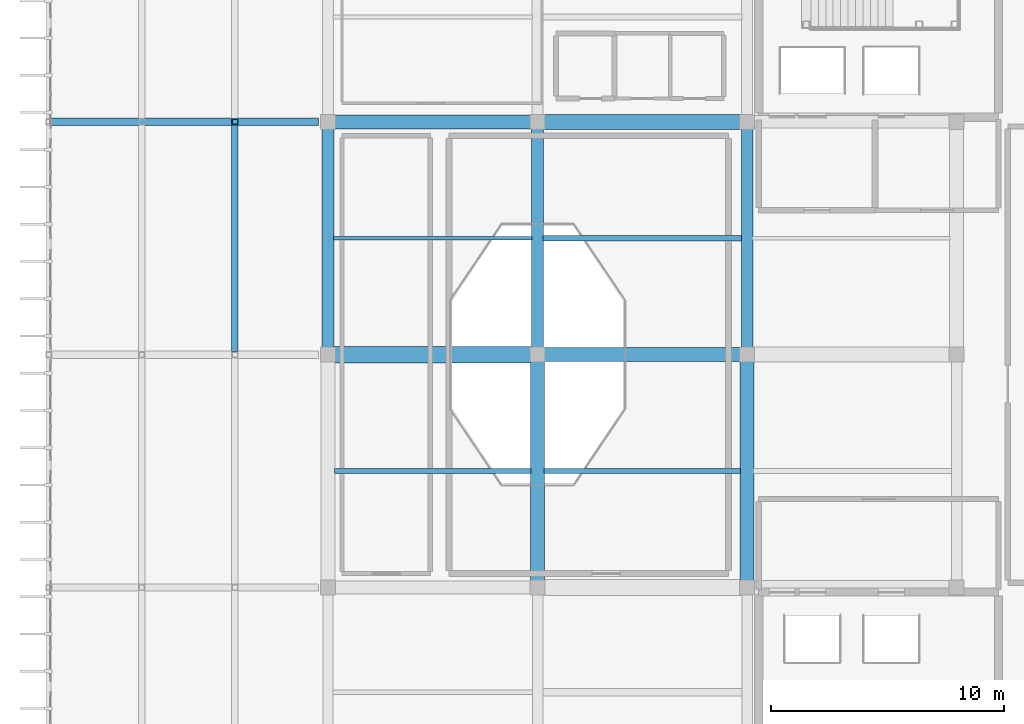
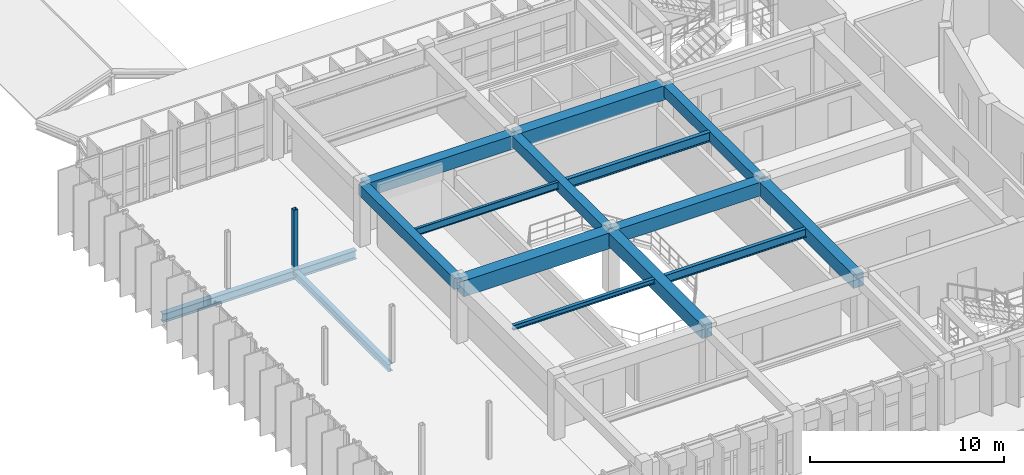
# One storey, part 28 of 80: 15 beams, 1 member.
"""IFC4 building model written with IfcOpenShell, lengths in metres."""

import ifcopenshell
import ifcopenshell.guid

model = None  # the IFC model being written
_history = None  # IfcOwnerHistory: only IFC2X3 demands one
_inside = {}  # id of a spatial element -> (the spatial element, [elements in it])
_under = {}  # id of a project, library or spatial element -> (it, [spatial elements below it])
_declared = {}  # id of a project -> (the project, [libraries it declares])
_typed = {}  # id of a type object -> (the type object, [elements of that type])
_made_of = {}  # id of a material, layer set ... -> (it, [elements and type objects made of it])


def new_model(schema):
    """Start an empty IFC model of exactly this schema.

    Asked for "IFC4X3", IfcOpenShell would pick the latest addendum, in which some entities
    have other attributes; the version numbers below select the first issue.
    IFC2X3 requires an IfcOwnerHistory on every rooted entity: one is made here for all.
    """
    global model, _history
    if schema == "IFC4X3":
        model = ifcopenshell.file(schema_version=(4, 3, 0, 0))
    else:
        model = ifcopenshell.file(schema=schema)
    _inside.clear()
    _under.clear()
    _declared.clear()
    _typed.clear()
    _made_of.clear()
    _history = None
    if model.schema == "IFC2X3":
        org = make("IfcOrganization", Name="unknown")
        user = make(
            "IfcPersonAndOrganization",
            ThePerson=make("IfcPerson", FamilyName="unknown"),
            TheOrganization=org,
        )
        app = make(
            "IfcApplication",
            ApplicationDeveloper=org,
            Version="unknown",
            ApplicationFullName="unknown",
            ApplicationIdentifier="unknown",
        )
        _history = make(
            "IfcOwnerHistory",
            OwningUser=user,
            OwningApplication=app,
            ChangeAction="ADDED",
            CreationDate=0,
        )
    return model


def make(cls, **values):
    """One entity of the class cls with the attributes given. An attribute that is None is left unset."""
    return model.create_entity(
        cls, **{name: value for name, value in values.items() if value is not None}
    )


def rooted(cls, **values):
    """An entity with a GlobalId (a new one), such as an element, a storey or a relation."""
    return make(cls, GlobalId=ifcopenshell.guid.new(), OwnerHistory=_history, **values)


def si_unit(unit_type, name, prefix=None):
    """IfcSIUnit, for example si_unit("LENGTHUNIT", "METRE", prefix="MILLI")."""
    return make("IfcSIUnit", UnitType=unit_type, Prefix=prefix, Name=name)


def assignment(units):
    """IfcUnitAssignment: the units of a project."""
    return None if units is None else make("IfcUnitAssignment", Units=units)


def point(xyz):
    """IfcCartesianPoint."""
    return None if xyz is None else make("IfcCartesianPoint", Coordinates=xyz)


def direction(xyz):
    """IfcDirection."""
    return None if xyz is None else make("IfcDirection", DirectionRatios=xyz)


def frame(location, z_axis=None, x_axis=None):
    """IfcAxis2Placement3D, a coordinate frame: its origin and axes. An axis left out is left unset."""
    return make(
        "IfcAxis2Placement3D",
        Location=point(location),
        Axis=direction(z_axis),
        RefDirection=direction(x_axis),
    )


def frame_2d(location, x_axis=None):
    """IfcAxis2Placement2D, a coordinate frame in the plane: its origin and x axis."""
    return make(
        "IfcAxis2Placement2D", Location=point(location), RefDirection=direction(x_axis)
    )


def origin():
    """The frame at (0, 0, 0) with its axes left unset."""
    return frame((0.0, 0.0, 0.0))


def origin_2d():
    """The frame at (0, 0) in the plane with its x axis left unset."""
    return frame_2d((0.0, 0.0))


def place(relative_to, where):
    """IfcLocalPlacement: puts the frame where relative to a parent placement (None: the world)."""
    return make(
        "IfcLocalPlacement", PlacementRelTo=relative_to, RelativePlacement=where
    )


def context(
    kind, dimensions, precision=None, world=None, true_north=None, identifier=None
):
    """IfcGeometricRepresentationContext, for example the 3D "Model" context."""
    return make(
        "IfcGeometricRepresentationContext",
        ContextIdentifier=identifier,
        ContextType=kind,
        CoordinateSpaceDimension=dimensions,
        Precision=precision,
        WorldCoordinateSystem=world,
        TrueNorth=true_north,
    )


def subcontext(parent, identifier, kind, view, scale=None):
    """IfcGeometricRepresentationSubContext, for example "Body" below "Model"."""
    return make(
        "IfcGeometricRepresentationSubContext",
        ContextIdentifier=identifier,
        ContextType=kind,
        ParentContext=parent,
        TargetScale=scale,
        TargetView=view,
    )


def project(units=None, contexts=None):
    """IfcProject with its units and contexts."""
    return rooted(
        "IfcProject",
        Name="project",
        RepresentationContexts=contexts,
        UnitsInContext=assignment(units),
    )


def spatial(cls, under=None, at=None, **own):
    """A site, building, storey or space (cls), placed at a placement, below another one or the project."""
    s = rooted(cls, ObjectPlacement=at, **own)
    if under is not None:
        _under.setdefault(under.id(), (under, []))[1].append(s)
    return s


def profile(cls, at=None, kind="AREA", **sizes):
    """A parametric profile (cls). Its sizes go by their IFC names, for example OverallWidth=200.0."""
    return make(cls, ProfileType=kind, Position=at, **sizes)


def rectangle(**sizes):
    """IfcRectangleProfileDef."""
    return profile("IfcRectangleProfileDef", **sizes)


def hollow_rectangle(**sizes):
    """IfcRectangleHollowProfileDef."""
    return profile("IfcRectangleHollowProfileDef", **sizes)


def i_section(**sizes):
    """IfcIShapeProfileDef."""
    return profile("IfcIShapeProfileDef", **sizes)


def extrude(swept, where, along, depth):
    """IfcExtrudedAreaSolid: the profile swept, set in the frame where, extruded along a direction by depth."""
    return make(
        "IfcExtrudedAreaSolid",
        SweptArea=swept,
        Position=where,
        ExtrudedDirection=direction(along),
        Depth=depth,
    )


def shape(context_of_items, identifier, shape_type, items):
    """IfcShapeRepresentation: the items that make up one representation, for example the "Body"."""
    return make(
        "IfcShapeRepresentation",
        ContextOfItems=context_of_items,
        RepresentationIdentifier=identifier,
        RepresentationType=shape_type,
        Items=items,
    )


def material(Name=None, Category=None):
    """IfcMaterial."""
    return make("IfcMaterial", Name=Name, Category=Category)


def material_profile(
    of_material, cross_section, Name=None, Category=None, Priority=None
):
    """IfcMaterialProfile: a cross section and its material."""
    return make(
        "IfcMaterialProfile",
        Name=Name,
        Material=of_material,
        Profile=cross_section,
        Priority=Priority,
        Category=Category,
    )


def profile_set(profiles, Name=None, composite=None):
    """IfcMaterialProfileSet."""
    return make(
        "IfcMaterialProfileSet",
        Name=Name,
        MaterialProfiles=profiles,
        CompositeProfile=composite,
    )


def made_of(thing, what):
    """Note that an element or type object is made of a material, layer set ...; save() writes the relation."""
    if what is not None:
        _made_of.setdefault(what.id(), (what, []))[1].append(thing)
    return thing


def type_object(cls, material=None, **own):
    """A type object (cls), such as IfcWallType, which elements share."""
    return made_of(rooted(cls, **own), material)


def element(
    cls,
    number,
    at=None,
    inside=None,
    cuts=None,
    type_object=None,
    material=None,
    context=None,
    identifier="Body",
    shape_type=None,
    held_by="IfcProductDefinitionShape",
    body=None,
    shapes=None,
    **own,
):
    """One element of the class cls, such as IfcWall. Its Tag is "e" and its number.

    at: its placement. inside: the storey or other place that contains it. cuts: it is an
    opening in that element (IfcRelVoidsElement). A single representation is given by context,
    identifier, shape_type and body (its items); several are given by shapes. held_by: the class
    of the entity that holds the representations. save() writes the other relations.
    """
    e = rooted(cls, Tag="e%d" % number, ObjectPlacement=at, **own)
    if body is not None:
        shapes = [shape(context, identifier, shape_type, body)]
    if shapes is not None:
        e.Representation = make(held_by, Representations=shapes)
    if inside is not None:
        _inside.setdefault(inside.id(), (inside, []))[1].append(e)
    if cuts is not None:
        rooted(
            "IfcRelVoidsElement", RelatingBuildingElement=cuts, RelatedOpeningElement=e
        )
    if type_object is not None:
        _typed.setdefault(type_object.id(), (type_object, []))[1].append(e)
    return made_of(e, material)


def aggregate(whole, parts):
    """IfcRelAggregates: a whole, such as a stair, and the parts it consists of."""
    return rooted("IfcRelAggregates", RelatingObject=whole, RelatedObjects=parts)


def save(model, path):
    """Write the relations noted so far, then the file.

    IfcRelAggregates (storeys below a building ...), IfcRelContainedInSpatialStructure (elements
    in a storey), IfcRelDefinesByType, IfcRelAssociatesMaterial and IfcRelDeclares: one each for
    every whole, place, type object, material and project.
    """
    for whole, parts in _under.values():
        aggregate(whole, parts)
    for where, things in _inside.values():
        rooted(
            "IfcRelContainedInSpatialStructure",
            RelatedElements=things,
            RelatingStructure=where,
        )
    for kind, things in _typed.values():
        rooted("IfcRelDefinesByType", RelatedObjects=things, RelatingType=kind)
    for what, things in _made_of.values():
        rooted("IfcRelAssociatesMaterial", RelatedObjects=things, RelatingMaterial=what)
    for by, libraries in _declared.values():
        rooted("IfcRelDeclares", RelatingContext=by, RelatedDefinitions=libraries)
    model.write(path)


model = new_model("IFC4")

# Units and contexts
model_context = context("Model", 3, precision=1e-05, world=origin(), true_north=direction((0.0, 1.0)))
body_context = subcontext(model_context, "Body", "Model", "MODEL_VIEW")
ifc_project = project(units=[si_unit("LENGTHUNIT", "METRE"), si_unit("AREAUNIT", "SQUARE_METRE"), si_unit("VOLUMEUNIT", "CUBIC_METRE"), si_unit("PLANEANGLEUNIT", "RADIAN"), si_unit("MASSUNIT", "GRAM", prefix="KILO")], contexts=[model_context])

# Site, building, storey
site_placement = place(None, origin())
site = spatial("IfcSite", under=ifc_project, at=site_placement, CompositionType="ELEMENT")
building_placement = place(site_placement, origin())
building = spatial("IfcBuilding", under=site, at=building_placement, Name="Miravela Opera House", CompositionType="ELEMENT")
storey_placement = place(building_placement, frame((0.0, 0.0, 17.679931640625)))
storey = spatial("IfcBuildingStorey", under=building, at=storey_placement, Name="L04", CompositionType="ELEMENT", Elevation=17.679931640625)

# Beams
ifc_material_1 = material(Name="Concrete C35/45", Category="concrete")
ifc_material_profile_1 = material_profile(ifc_material_1, rectangle(XDim=0.5, YDim=0.699951171875, at=origin_2d()), Name="RC-BM-500X700")
ifc_profile_set_1 = profile_set([ifc_material_profile_1])
beam_type_1 = type_object("IfcBeamType", Name="STR-BM-RC500X700", PredefinedType="BEAM", material=ifc_profile_set_1)
for number, where, z_axis, x_axis, name in (
    (1, (27.0, 56.080078125, 3.489990234375), (0.0, 1.0, 0.0), (-1.0, 0.0, 0.0), "Floor Girder L04 4/G-H"),
    (2, (36.0, 56.080078125, 3.489990234375), (0.0, 1.0, 0.0), (-1.0, 0.0, 0.0), "Floor Girder L04 5/G-H"),
    (3, (45.0, 56.080078125, 3.489990234375), (0.0, 1.0, 0.0), (-1.0, 0.0, 0.0), "Floor Girder L04 6/G-H"),
):
    element("IfcBeam", number, at=place(storey_placement, frame(where, z_axis=z_axis, x_axis=x_axis)), inside=storey, type_object=beam_type_1, Name=name, PredefinedType="BEAM", context=body_context, shape_type="SweptSolid", body=[
        extrude(rectangle(XDim=0.5, YDim=0.699951171875, at=origin_2d()), origin(), (0.0, 0.0, 1.0), 9.83984375),
    ])
ifc_material_2 = material(Name="Concrete C40/50", Category="concrete")
ifc_material_profile_2 = material_profile(ifc_material_2, rectangle(XDim=0.60009765625, YDim=0.85009765625, at=origin_2d()), Name="RC-BM-600X850")
ifc_profile_set_2 = profile_set([ifc_material_profile_2])
beam_type_2 = type_object("IfcBeamType", Name="STR-BM-RC600X850", PredefinedType="BEAM", material=ifc_profile_set_2)
for number, where, z_axis, x_axis, name in (
    (4, (27.080078125, 66.0, 3.4150390625), (1.0, 0.0, 0.0), (0.0, 1.0, 0.0), "Floor Girder L04 4-5/H"),
    (5, (36.080078125, 56.0, 3.4150390625), (1.0, 0.0, 0.0), (0.0, 1.0, 0.0), "Floor Girder L04 5-6/G"),
):
    element("IfcBeam", number, at=place(storey_placement, frame(where, z_axis=z_axis, x_axis=x_axis)), inside=storey, type_object=beam_type_2, Name=name, PredefinedType="BEAM", context=body_context, shape_type="SweptSolid", body=[
        extrude(rectangle(XDim=0.60009765625, YDim=0.85009765625, at=origin_2d()), origin(), (0.0, 0.0, 1.0), 8.83984375),
    ])
for number, where, z_axis, x_axis, name in (
    (6, (36.0, 46.080078125, 3.4150390625), (0.0, 1.0, 0.0), (-1.0, 0.0, 0.0), "Floor Girder L04 5/F-G"),
    (7, (45.0, 46.080078125, 3.4150390625), (0.0, 1.0, 0.0), (-1.0, 0.0, 0.0), "Floor Girder L04 6/F-G"),
):
    element("IfcBeam", number, at=place(storey_placement, frame(where, z_axis=z_axis, x_axis=x_axis)), inside=storey, type_object=beam_type_2, Name=name, PredefinedType="BEAM", context=body_context, shape_type="SweptSolid", body=[
        extrude(rectangle(XDim=0.60009765625, YDim=0.85009765625, at=origin_2d()), origin(), (0.0, 0.0, 1.0), 9.83984375),
    ])
ifc_material_profile_3 = material_profile(ifc_material_2, rectangle(XDim=0.64990234375, YDim=0.89990234375, at=origin_2d()), Name="RC-BM-650X900")
ifc_profile_set_3 = profile_set([ifc_material_profile_3])
beam_type_3 = type_object("IfcBeamType", Name="STR-BM-RC650X900", PredefinedType="BEAM", material=ifc_profile_set_3)
beam_1_placement = place(storey_placement, frame((36.080078125, 66.0, 3.39013671875), z_axis=(1.0, 0.0, 0.0), x_axis=(0.0, 1.0, 0.0)))
element("IfcBeam", 8, at=beam_1_placement, inside=storey, type_object=beam_type_3, Name="Floor Girder L04 5-6/H", PredefinedType="BEAM", context=body_context, shape_type="SweptSolid", body=[
    extrude(rectangle(XDim=0.64990234375, YDim=0.89990234375, at=origin_2d()), origin(), (0.0, 0.0, 1.0), 8.83984375),
])
ifc_material_profile_4 = material_profile(ifc_material_2, rectangle(XDim=0.699951171875, YDim=1.0, at=origin_2d()), Name="RC-BM-700X1000")
ifc_profile_set_4 = profile_set([ifc_material_profile_4])
beam_type_4 = type_object("IfcBeamType", Name="STR-BM-RC700X1000", PredefinedType="BEAM", material=ifc_profile_set_4)
beam_2_placement = place(storey_placement, frame((27.080078125, 56.0, 3.340087890625), z_axis=(1.0, 0.0, 0.0), x_axis=(0.0, 1.0, 0.0)))
element("IfcBeam", 9, at=beam_2_placement, inside=storey, type_object=beam_type_4, Name="Floor Girder L04 4-5/G", PredefinedType="BEAM", context=body_context, shape_type="SweptSolid", body=[
    extrude(rectangle(XDim=0.699951171875, YDim=1.0, at=origin_2d()), origin(), (0.0, 0.0, 1.0), 8.83984375),
])
ifc_material_3 = material(Name="Structural steel ASTM A992 Gr. 50", Category="steel")
ifc_material_profile_5 = material_profile(ifc_material_3, i_section(OverallWidth=0.202880859375, OverallDepth=0.302978515625, WebThickness=0.007568359375, FlangeThickness=0.01318359375, FilletRadius=0.012939453125, at=origin_2d()), Name="W310X60")
ifc_profile_set_5 = profile_set([ifc_material_profile_5])
beam_type_5 = type_object("IfcBeamType", Name="STR-BM-W310X60", PredefinedType="JOIST", material=ifc_profile_set_5)
beam_3_placement = place(storey_placement, frame((27.284912109375, 51.0, 3.6884765625), z_axis=(1.0, 0.0, 0.0), x_axis=(0.0, 1.0, 0.0)))
element("IfcBeam", 10, at=beam_3_placement, inside=storey, type_object=beam_type_5, Name="Secondary Floor Joist L04 4-5/F-G", PredefinedType="JOIST", context=body_context, shape_type="SweptSolid", body=[
    extrude(i_section(OverallWidth=0.202880859375, OverallDepth=0.302978515625, WebThickness=0.007568359375, FlangeThickness=0.01318359375, FilletRadius=0.012939453125, at=origin_2d()), origin(), (0.0, 0.0, 1.0), 8.43017578125),
])
ifc_material_profile_6 = material_profile(ifc_material_3, i_section(OverallWidth=0.280029296875, OverallDepth=0.462890625, WebThickness=0.0107421875, FlangeThickness=0.017333984375, FilletRadius=0.014892578125, at=origin_2d()), Name="W460X113")
ifc_profile_set_6 = profile_set([ifc_material_profile_6])
beam_type_6 = type_object("IfcBeamType", Name="STR-BM-W460X113", PredefinedType="BEAM", material=ifc_profile_set_6)
beam_4_placement = place(storey_placement, frame((23.0, 56.14111328125, -0.471435546875), z_axis=(0.0, 1.0, 0.0), x_axis=(-1.0, 0.0, 0.0)))
element("IfcBeam", 11, at=beam_4_placement, inside=storey, type_object=beam_type_6, Name="Cantilever Overhang Beam L04 X=23", PredefinedType="BEAM", context=body_context, shape_type="SweptSolid", body=[
    extrude(i_section(OverallWidth=0.280029296875, OverallDepth=0.462890625, WebThickness=0.0107421875, FlangeThickness=0.017333984375, FilletRadius=0.014892578125, at=origin_2d()), origin(), (0.0, 0.0, 1.0), 9.7177734375),
])
ifc_material_profile_7 = material_profile(ifc_material_3, i_section(OverallWidth=0.154052734375, OverallDepth=0.458984375, WebThickness=0.009033203125, FlangeThickness=0.015380859375, FilletRadius=0.013916015625, at=origin_2d()), Name="W460X68")
ifc_profile_set_7 = profile_set([ifc_material_profile_7])
beam_type_7 = type_object("IfcBeamType", Name="STR-BM-W460X68", PredefinedType="JOIST", material=ifc_profile_set_7)
beam_5_placement = place(storey_placement, frame((27.235107421875, 61.0, 3.610595703125), z_axis=(1.0, 0.0, 0.0), x_axis=(0.0, 1.0, 0.0)))
element("IfcBeam", 12, at=beam_5_placement, inside=storey, type_object=beam_type_7, Name="Secondary Floor Joist L04 4-5/G-H", PredefinedType="JOIST", context=body_context, shape_type="SweptSolid", body=[
    extrude(i_section(OverallWidth=0.154052734375, OverallDepth=0.458984375, WebThickness=0.009033203125, FlangeThickness=0.015380859375, FilletRadius=0.013916015625, at=origin_2d()), origin(), (0.0, 0.0, 1.0), 8.52978515625),
])
ifc_material_profile_8 = material_profile(ifc_material_3, i_section(OverallWidth=0.31201171875, OverallDepth=0.54296875, WebThickness=0.0126953125, FlangeThickness=0.020263671875, FilletRadius=0.01611328125, at=origin_2d()), Name="W530X150")
ifc_profile_set_8 = profile_set([ifc_material_profile_8])
beam_type_8 = type_object("IfcBeamType", Name="STR-BM-W530X150", PredefinedType="BEAM", material=ifc_profile_set_8)
beam_6_placement = place(storey_placement, frame((15.110107421875, 66.0, -0.511474609375), z_axis=(1.0, 0.0, 0.0), x_axis=(0.0, 1.0, 0.0)))
element("IfcBeam", 13, at=beam_6_placement, inside=storey, type_object=beam_type_8, Name="Cantilever Chord L04 T4", PredefinedType="BEAM", context=body_context, shape_type="SweptSolid", body=[
    extrude(i_section(OverallWidth=0.31201171875, OverallDepth=0.54296875, WebThickness=0.0126953125, FlangeThickness=0.020263671875, FilletRadius=0.01611328125, at=origin_2d()), origin(), (0.0, 0.0, 1.0), 11.489990234375),
])
ifc_material_profile_9 = material_profile(ifc_material_3, i_section(OverallWidth=0.208984375, OverallDepth=0.532958984375, WebThickness=0.01025390625, FlangeThickness=0.015625, FilletRadius=0.014892578125, at=origin_2d()), Name="W530X92")
ifc_profile_set_9 = profile_set([ifc_material_profile_9])
beam_type_9 = type_object("IfcBeamType", Name="STR-BM-W530X92", PredefinedType="BEAM", material=ifc_profile_set_9)
beam_7_placement = place(storey_placement, frame((36.284912109375, 51.0, 3.573486328125), z_axis=(1.0, 0.0, 0.0), x_axis=(0.0, 1.0, 0.0)))
element("IfcBeam", 14, at=beam_7_placement, inside=storey, type_object=beam_type_9, Name="Secondary Floor Joist L04 5-6/F-G", PredefinedType="BEAM", context=body_context, shape_type="SweptSolid", body=[
    extrude(i_section(OverallWidth=0.208984375, OverallDepth=0.532958984375, WebThickness=0.01025390625, FlangeThickness=0.015625, FilletRadius=0.014892578125, at=origin_2d()), origin(), (0.0, 0.0, 1.0), 8.43017578125),
])
ifc_material_profile_10 = material_profile(ifc_material_3, i_section(OverallWidth=0.22802734375, OverallDepth=0.60791015625, WebThickness=0.01123046875, FlangeThickness=0.017333984375, FilletRadius=0.01611328125, at=origin_2d()), Name="W610X113")
ifc_profile_set_10 = profile_set([ifc_material_profile_10])
beam_type_10 = type_object("IfcBeamType", Name="STR-BM-W610X113", PredefinedType="BEAM", material=ifc_profile_set_10)
beam_8_placement = place(storey_placement, frame((36.235107421875, 61.0, 3.5361328125), z_axis=(1.0, 0.0, 0.0), x_axis=(0.0, 1.0, 0.0)))
element("IfcBeam", 15, at=beam_8_placement, inside=storey, type_object=beam_type_10, Name="Secondary Floor Joist L04 5-6/G-H", PredefinedType="BEAM", context=body_context, shape_type="SweptSolid", body=[
    extrude(i_section(OverallWidth=0.22802734375, OverallDepth=0.60791015625, WebThickness=0.01123046875, FlangeThickness=0.017333984375, FilletRadius=0.01611328125, at=origin_2d()), origin(), (0.0, 0.0, 1.0), 8.52978515625),
])

# Member
ifc_material_4 = material(Name="Hollow structural steel ASTM A500 Gr. C", Category="steel")
ifc_material_profile_11 = material_profile(ifc_material_4, hollow_rectangle(XDim=0.25, YDim=0.25, WallThickness=0.011962890625, InnerFilletRadius=0.011962890625, OuterFilletRadius=0.02392578125, at=origin_2d()), Name="HSS250X250X12")
ifc_profile_set_11 = profile_set([ifc_material_profile_11])
member_type = type_object("IfcMemberType", Name="STR-MEM-CANT-POST2", PredefinedType="POST", material=ifc_profile_set_11)
member_placement = place(storey_placement, frame((23.0, 66.0, -0.5400390625), z_axis=(0.0, 0.0, 1.0), x_axis=(1.0, 0.0, 0.0)))
element("IfcMember", 16, at=member_placement, inside=storey, type_object=member_type, Name="Upper Wrapper Truss Post L04 X=23.0", PredefinedType="POST", context=body_context, shape_type="SweptSolid", body=[
    extrude(hollow_rectangle(XDim=0.25, YDim=0.25, WallThickness=0.011962890625, InnerFilletRadius=0.011962890625, OuterFilletRadius=0.02392578125, at=origin_2d()), origin(), (0.0, 0.0, 1.0), 4.080078125),
])

save(model, "model.ifc")
